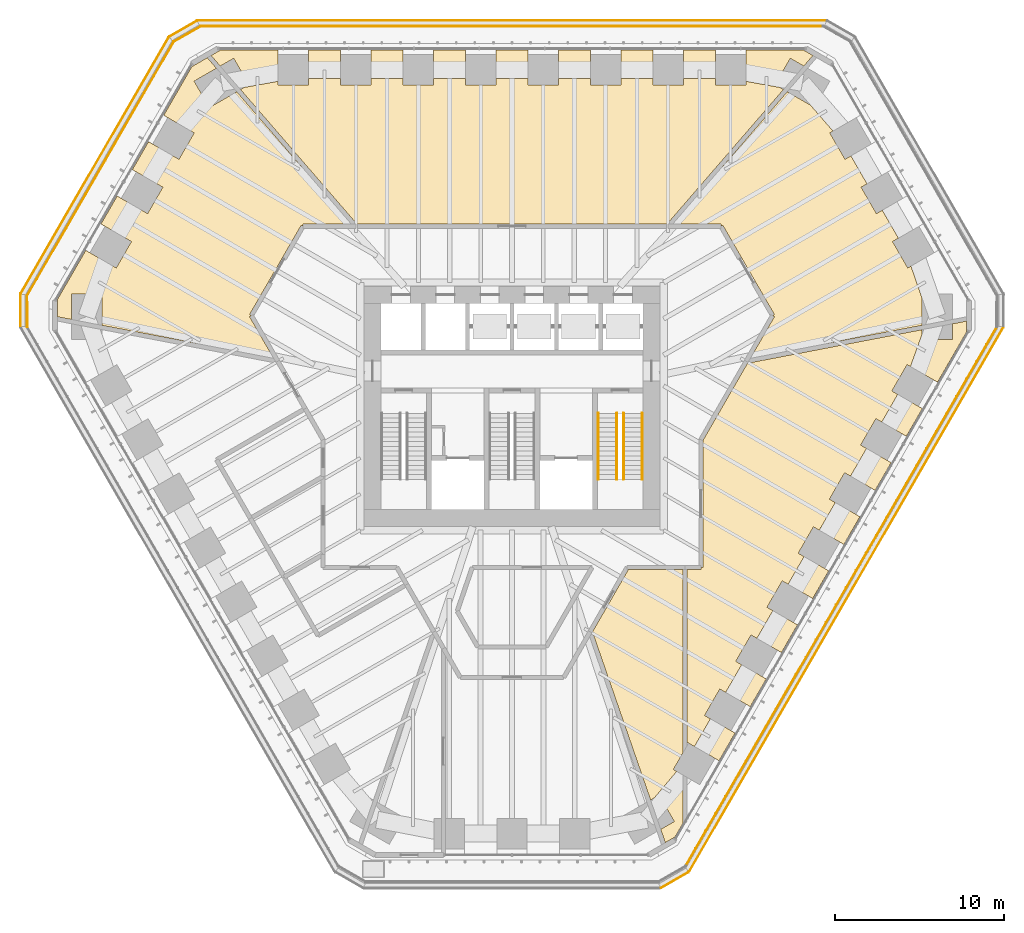
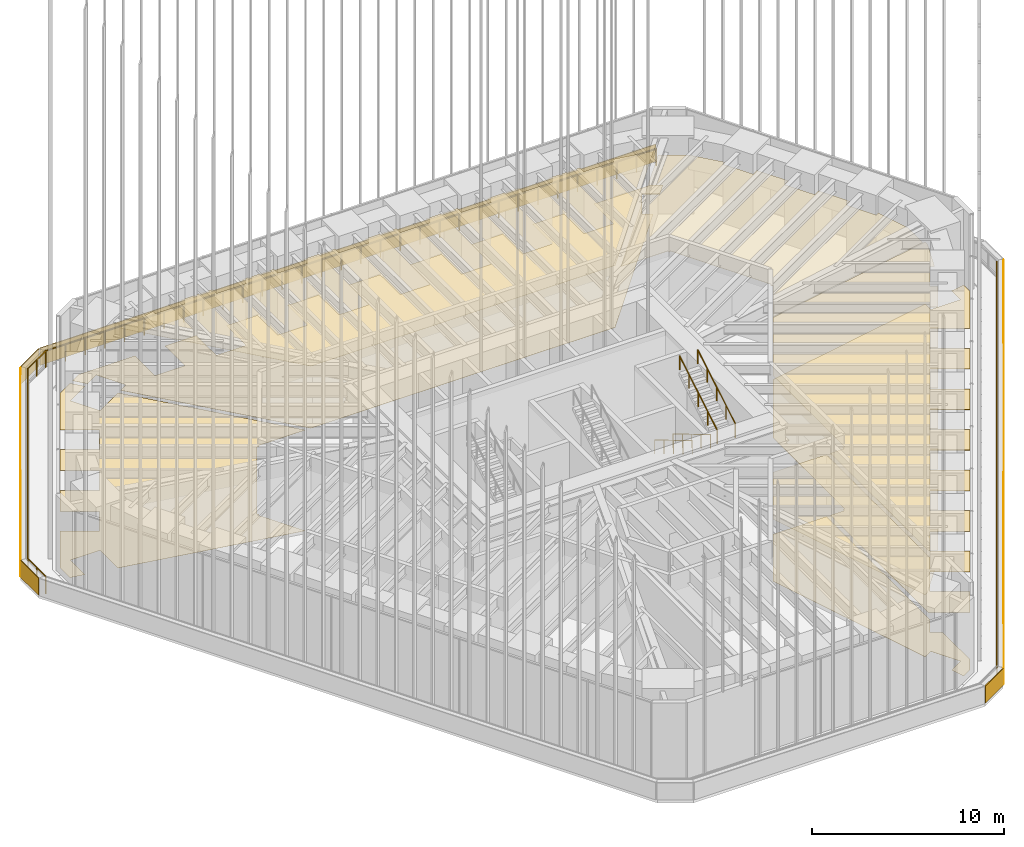
# One storey, part 225 of 228: 14 coverings, 9 railings.
"""IFC4 building model written with IfcOpenShell, lengths in metres."""

import ifcopenshell
import ifcopenshell.guid

model = None  # the IFC model being written
_history = None  # IfcOwnerHistory: only IFC2X3 demands one
_inside = {}  # id of a spatial element -> (the spatial element, [elements in it])
_under = {}  # id of a project, library or spatial element -> (it, [spatial elements below it])
_declared = {}  # id of a project -> (the project, [libraries it declares])
_typed = {}  # id of a type object -> (the type object, [elements of that type])
_made_of = {}  # id of a material, layer set ... -> (it, [elements and type objects made of it])


def new_model(schema):
    """Start an empty IFC model of exactly this schema.

    Asked for "IFC4X3", IfcOpenShell would pick the latest addendum, in which some entities
    have other attributes; the version numbers below select the first issue.
    IFC2X3 requires an IfcOwnerHistory on every rooted entity: one is made here for all.
    """
    global model, _history
    if schema == "IFC4X3":
        model = ifcopenshell.file(schema_version=(4, 3, 0, 0))
    else:
        model = ifcopenshell.file(schema=schema)
    _inside.clear()
    _under.clear()
    _declared.clear()
    _typed.clear()
    _made_of.clear()
    _history = None
    if model.schema == "IFC2X3":
        org = make("IfcOrganization", Name="unknown")
        user = make(
            "IfcPersonAndOrganization",
            ThePerson=make("IfcPerson", FamilyName="unknown"),
            TheOrganization=org,
        )
        app = make(
            "IfcApplication",
            ApplicationDeveloper=org,
            Version="unknown",
            ApplicationFullName="unknown",
            ApplicationIdentifier="unknown",
        )
        _history = make(
            "IfcOwnerHistory",
            OwningUser=user,
            OwningApplication=app,
            ChangeAction="ADDED",
            CreationDate=0,
        )
    return model


def make(cls, **values):
    """One entity of the class cls with the attributes given. An attribute that is None is left unset."""
    return model.create_entity(
        cls, **{name: value for name, value in values.items() if value is not None}
    )


def rooted(cls, **values):
    """An entity with a GlobalId (a new one), such as an element, a storey or a relation."""
    return make(cls, GlobalId=ifcopenshell.guid.new(), OwnerHistory=_history, **values)


def si_unit(unit_type, name, prefix=None):
    """IfcSIUnit, for example si_unit("LENGTHUNIT", "METRE", prefix="MILLI")."""
    return make("IfcSIUnit", UnitType=unit_type, Prefix=prefix, Name=name)


def assignment(units):
    """IfcUnitAssignment: the units of a project."""
    return None if units is None else make("IfcUnitAssignment", Units=units)


def point(xyz):
    """IfcCartesianPoint."""
    return None if xyz is None else make("IfcCartesianPoint", Coordinates=xyz)


def direction(xyz):
    """IfcDirection."""
    return None if xyz is None else make("IfcDirection", DirectionRatios=xyz)


def frame(location, z_axis=None, x_axis=None):
    """IfcAxis2Placement3D, a coordinate frame: its origin and axes. An axis left out is left unset."""
    return make(
        "IfcAxis2Placement3D",
        Location=point(location),
        Axis=direction(z_axis),
        RefDirection=direction(x_axis),
    )


def frame_2d(location, x_axis=None):
    """IfcAxis2Placement2D, a coordinate frame in the plane: its origin and x axis."""
    return make(
        "IfcAxis2Placement2D", Location=point(location), RefDirection=direction(x_axis)
    )


def origin():
    """The frame at (0, 0, 0) with its axes left unset."""
    return frame((0.0, 0.0, 0.0))


def origin_2d():
    """The frame at (0, 0) in the plane with its x axis left unset."""
    return frame_2d((0.0, 0.0))


def place(relative_to, where):
    """IfcLocalPlacement: puts the frame where relative to a parent placement (None: the world)."""
    return make(
        "IfcLocalPlacement", PlacementRelTo=relative_to, RelativePlacement=where
    )


def context(
    kind, dimensions, precision=None, world=None, true_north=None, identifier=None
):
    """IfcGeometricRepresentationContext, for example the 3D "Model" context."""
    return make(
        "IfcGeometricRepresentationContext",
        ContextIdentifier=identifier,
        ContextType=kind,
        CoordinateSpaceDimension=dimensions,
        Precision=precision,
        WorldCoordinateSystem=world,
        TrueNorth=true_north,
    )


def subcontext(parent, identifier, kind, view, scale=None):
    """IfcGeometricRepresentationSubContext, for example "Body" below "Model"."""
    return make(
        "IfcGeometricRepresentationSubContext",
        ContextIdentifier=identifier,
        ContextType=kind,
        ParentContext=parent,
        TargetScale=scale,
        TargetView=view,
    )


def project(units=None, contexts=None):
    """IfcProject with its units and contexts."""
    return rooted(
        "IfcProject",
        Name="project",
        RepresentationContexts=contexts,
        UnitsInContext=assignment(units),
    )


def spatial(cls, under=None, at=None, **own):
    """A site, building, storey or space (cls), placed at a placement, below another one or the project."""
    s = rooted(cls, ObjectPlacement=at, **own)
    if under is not None:
        _under.setdefault(under.id(), (under, []))[1].append(s)
    return s


def polyline(points):
    """IfcPolyline through the points."""
    return make("IfcPolyline", Points=[point(p) for p in points])


def profile(cls, at=None, kind="AREA", **sizes):
    """A parametric profile (cls). Its sizes go by their IFC names, for example OverallWidth=200.0."""
    return make(cls, ProfileType=kind, Position=at, **sizes)


def rectangle(**sizes):
    """IfcRectangleProfileDef."""
    return profile("IfcRectangleProfileDef", **sizes)


def circle(**sizes):
    """IfcCircleProfileDef."""
    return profile("IfcCircleProfileDef", **sizes)


def outline(outer, holes=None, kind="AREA"):
    """IfcArbitraryClosedProfileDef: a profile drawn as a closed curve; with holes, ...WithVoids."""
    if holes is None:
        return make("IfcArbitraryClosedProfileDef", ProfileType=kind, OuterCurve=outer)
    return make(
        "IfcArbitraryProfileDefWithVoids",
        ProfileType=kind,
        OuterCurve=outer,
        InnerCurves=holes,
    )


def extrude(swept, where, along, depth):
    """IfcExtrudedAreaSolid: the profile swept, set in the frame where, extruded along a direction by depth."""
    return make(
        "IfcExtrudedAreaSolid",
        SweptArea=swept,
        Position=where,
        ExtrudedDirection=direction(along),
        Depth=depth,
    )


def shape(context_of_items, identifier, shape_type, items):
    """IfcShapeRepresentation: the items that make up one representation, for example the "Body"."""
    return make(
        "IfcShapeRepresentation",
        ContextOfItems=context_of_items,
        RepresentationIdentifier=identifier,
        RepresentationType=shape_type,
        Items=items,
    )


def material(Name=None, Category=None):
    """IfcMaterial."""
    return make("IfcMaterial", Name=Name, Category=Category)


def layer(
    of_material, thickness, ventilated=None, Name=None, Category=None, Priority=None
):
    """IfcMaterialLayer: one layer of a wall or slab, of a material (None: an air gap)."""
    return make(
        "IfcMaterialLayer",
        Material=of_material,
        LayerThickness=thickness,
        IsVentilated=ventilated,
        Name=Name,
        Category=Category,
        Priority=Priority,
    )


def layer_set(layers, Name=None):
    """IfcMaterialLayerSet."""
    return make("IfcMaterialLayerSet", MaterialLayers=layers, LayerSetName=Name)


def made_of(thing, what):
    """Note that an element or type object is made of a material, layer set ...; save() writes the relation."""
    if what is not None:
        _made_of.setdefault(what.id(), (what, []))[1].append(thing)
    return thing


def type_object(cls, material=None, **own):
    """A type object (cls), such as IfcWallType, which elements share."""
    return made_of(rooted(cls, **own), material)


def element(
    cls,
    number,
    at=None,
    inside=None,
    cuts=None,
    type_object=None,
    material=None,
    context=None,
    identifier="Body",
    shape_type=None,
    held_by="IfcProductDefinitionShape",
    body=None,
    shapes=None,
    **own,
):
    """One element of the class cls, such as IfcWall. Its Tag is "e" and its number.

    at: its placement. inside: the storey or other place that contains it. cuts: it is an
    opening in that element (IfcRelVoidsElement). A single representation is given by context,
    identifier, shape_type and body (its items); several are given by shapes. held_by: the class
    of the entity that holds the representations. save() writes the other relations.
    """
    e = rooted(cls, Tag="e%d" % number, ObjectPlacement=at, **own)
    if body is not None:
        shapes = [shape(context, identifier, shape_type, body)]
    if shapes is not None:
        e.Representation = make(held_by, Representations=shapes)
    if inside is not None:
        _inside.setdefault(inside.id(), (inside, []))[1].append(e)
    if cuts is not None:
        rooted(
            "IfcRelVoidsElement", RelatingBuildingElement=cuts, RelatedOpeningElement=e
        )
    if type_object is not None:
        _typed.setdefault(type_object.id(), (type_object, []))[1].append(e)
    return made_of(e, material)


def aggregate(whole, parts):
    """IfcRelAggregates: a whole, such as a stair, and the parts it consists of."""
    return rooted("IfcRelAggregates", RelatingObject=whole, RelatedObjects=parts)


def save(model, path):
    """Write the relations noted so far, then the file.

    IfcRelAggregates (storeys below a building ...), IfcRelContainedInSpatialStructure (elements
    in a storey), IfcRelDefinesByType, IfcRelAssociatesMaterial and IfcRelDeclares: one each for
    every whole, place, type object, material and project.
    """
    for whole, parts in _under.values():
        aggregate(whole, parts)
    for where, things in _inside.values():
        rooted(
            "IfcRelContainedInSpatialStructure",
            RelatedElements=things,
            RelatingStructure=where,
        )
    for kind, things in _typed.values():
        rooted("IfcRelDefinesByType", RelatedObjects=things, RelatingType=kind)
    for what, things in _made_of.values():
        rooted("IfcRelAssociatesMaterial", RelatedObjects=things, RelatingMaterial=what)
    for by, libraries in _declared.values():
        rooted("IfcRelDeclares", RelatingContext=by, RelatedDefinitions=libraries)
    model.write(path)


model = new_model("IFC4")

# Units and contexts
model_context = context("Model", 3, precision=1e-05, world=origin(), true_north=direction((0.0, 1.0)))
body_context = subcontext(model_context, "Body", "Model", "MODEL_VIEW")
ifc_project = project(units=[si_unit("LENGTHUNIT", "METRE"), si_unit("AREAUNIT", "SQUARE_METRE"), si_unit("VOLUMEUNIT", "CUBIC_METRE"), si_unit("PLANEANGLEUNIT", "RADIAN"), si_unit("MASSUNIT", "GRAM", prefix="KILO")], contexts=[model_context])

# Site, building, storey
site_placement = place(None, origin())
site = spatial("IfcSite", under=ifc_project, at=site_placement, CompositionType="ELEMENT")
building_placement = place(site_placement, origin())
building = spatial("IfcBuilding", under=site, at=building_placement, Name="Sandreach Pilgrim Tower", CompositionType="ELEMENT")
storey_placement = place(building_placement, frame((0.0, 0.0, 178.199951171875)))
storey = spatial("IfcBuildingStorey", under=building, at=storey_placement, Name="L44", CompositionType="ELEMENT", Elevation=178.199951171875)

# Coverings
ifc_material_1 = material(Name="Acoustic mineral fibre tile ceiling on a suspension grid", Category="mineral")
ifc_layer_1 = layer(ifc_material_1, 0.02001953125)
ifc_layer_set_1 = layer_set([ifc_layer_1], Name="Acoustic mineral tile ceiling")
covering_type_1 = type_object("IfcCoveringType", Name="Acoustic mineral tile ceiling", PredefinedType="CEILING", material=ifc_layer_set_1)
covering_1_placement = place(storey_placement, frame((0.0, 0.0, 3.75)))
element("IfcCovering", 1, at=covering_1_placement, inside=storey, type_object=covering_type_1, Name="Ceiling 4402 Sky lounge", PredefinedType="CEILING", context=body_context, shape_type="SweptSolid", body=[
    extrude(outline(polyline([(12.35009765625, 10.784912109375), (9.50341796875, 10.784912109375), (16.27685546875, 18.611572265625), (17.65673828125, 17.81494140625), (18.983642578125, 16.283935546875), (18.795654296875, 16.17529296875), (19.695556640625, 14.616455078125), (20.0419921875, 14.81640625), (20.997314453125, 13.162109375), (20.65087890625, 12.9619140625), (21.55078125, 11.403076171875), (21.897216796875, 11.60302734375), (22.8525390625, 9.94873046875), (22.506103515625, 9.748779296875), (23.406005859375, 8.18994140625), (23.59423828125, 8.29833984375), (24.256591796875, 6.383544921875), (24.256591796875, 4.796630859375), (14.09521484375, 2.844482421875), (15.518310546875, 5.307373046875), (15.409912109375, 5.3701171875), (15.518310546875, 5.4326171875), (12.458251953125, 10.72265625), (12.35009765625, 10.659912109375), (12.35009765625, 10.784912109375)])), origin(), (0.0, 0.0, 1.0), 0.02001953125),
])
ifc_material_2 = material(Name="Nylon carpet tile on the slab", Category="textile")
ifc_layer_2 = layer(ifc_material_2, 0.008056640625)
ifc_layer_set_2 = layer_set([ifc_layer_2], Name="Carpet tile")
covering_type_2 = type_object("IfcCoveringType", Name="Carpet tile", PredefinedType="FLOORING", material=ifc_layer_set_2)
covering_2_placement = place(storey_placement, origin())
element("IfcCovering", 2, at=covering_2_placement, inside=storey, type_object=covering_type_2, Name="Floor finish 4401 Front office", PredefinedType="FLOORING", context=body_context, shape_type="SweptSolid", body=[
    extrude(outline(polyline([(-13.82373046875, 21.080078125), (-13.82373046875, 19.0), (-12.023681640625, 19.0), (-12.023681640625, 21.080078125), (-10.131103515625, 21.080078125), (-10.131103515625, 19.0), (-8.331298828125, 19.0), (-8.331298828125, 21.080078125), (-6.438720703125, 21.080078125), (-6.438720703125, 19.0), (-4.638671875, 19.0), (-4.638671875, 21.080078125), (-2.746337890625, 21.080078125), (-2.746337890625, 19.0), (-0.9462890625, 19.0), (-0.9462890625, 21.080078125), (0.9462890625, 21.080078125), (0.9462890625, 19.0), (2.746337890625, 19.0), (2.746337890625, 21.080078125), (4.638671875, 21.080078125), (4.638671875, 19.0), (6.438720703125, 19.0), (6.438720703125, 21.080078125), (8.331298828125, 21.080078125), (8.331298828125, 19.0), (10.131103515625, 19.0), (10.131103515625, 21.080078125), (12.023681640625, 21.080078125), (12.023681640625, 19.0), (13.82373046875, 19.0), (13.82373046875, 21.080078125), (17.228515625, 21.080078125), (17.7978515625, 20.751220703125), (17.255859375, 20.124755859375), (16.458984375, 20.5849609375), (15.558837890625, 19.026123046875), (16.056396484375, 18.739013671875), (9.1728515625, 10.784912109375), (-9.1728515625, 10.784912109375), (-16.056396484375, 18.739013671875), (-15.558837890625, 19.026123046875), (-16.458984375, 20.5849609375), (-17.255859375, 20.124755859375), (-17.7978515625, 20.751220703125), (-17.228515625, 21.080078125), (-13.82373046875, 21.080078125)])), origin(), (0.0, 0.0, 1.0), 0.008056640625),
])
covering_3_placement = place(storey_placement, origin())
element("IfcCovering", 3, at=covering_3_placement, inside=storey, type_object=covering_type_2, Name="Floor finish 4403 Guest services office", PredefinedType="FLOORING", context=body_context, shape_type="SweptSolid", body=[
    extrude(outline(polyline([(10.35498046875, -9.64501953125), (11.169921875, -9.64501953125), (11.169921875, -9.52001953125), (11.294921875, -9.52001953125), (11.294921875, -2.00341796875), (13.9296875, 2.55810546875), (24.256591796875, 4.542236328125), (24.256591796875, 3.96142578125), (26.056640625, 3.96142578125), (26.056640625, 4.887939453125), (26.8701171875, 5.04443359375), (26.8701171875, 4.380126953125), (25.167724609375, 1.431640625), (23.366455078125, 2.4716796875), (22.466552734375, 0.912841796875), (24.267822265625, -0.127197265625), (23.321533203125, -1.76611328125), (21.520263671875, -0.72607421875), (20.6201171875, -2.284912109375), (22.421630859375, -3.324951171875), (21.475341796875, -4.9638671875), (19.673828125, -3.923828125), (18.77392578125, -5.48291015625), (20.5751953125, -6.522705078125), (19.629150390625, -8.16162109375), (17.82763671875, -7.121826171875), (16.927734375, -8.6806640625), (18.72900390625, -9.720703125), (17.78271484375, -11.359619140625), (15.9814453125, -10.319580078125), (15.08154296875, -11.87841796875), (16.8828125, -12.91845703125), (15.9365234375, -14.557373046875), (14.13525390625, -13.517333984375), (13.235107421875, -15.076171875), (15.03662109375, -16.1162109375), (14.09033203125, -17.755126953125), (12.2890625, -16.715087890625), (11.388916015625, -18.27392578125), (13.190185546875, -19.31396484375), (12.244140625, -20.952880859375), (10.35498046875, -19.8623046875), (10.35498046875, -9.64501953125)])), origin(), (0.0, 0.0, 1.0), 0.008056640625),
])
covering_4_placement = place(storey_placement, origin())
element("IfcCovering", 4, at=covering_4_placement, inside=storey, type_object=covering_type_2, Name="Floor finish 44N1 Staff room", PredefinedType="FLOORING", context=body_context, shape_type="SweptSolid", body=[
    extrude(outline(polyline([(9.6416015625, -25.46044921875), (9.066650390625, -25.79248046875), (8.79541015625, -25.009521484375), (9.59765625, -24.54638671875), (8.697509765625, -22.987548828125), (8.19580078125, -23.277099609375), (4.755126953125, -13.337890625), (6.88232421875, -9.64501953125), (10.10498046875, -9.64501953125), (10.10498046875, -20.497802734375), (9.542724609375, -21.4716796875), (10.10498046875, -21.79638671875), (10.10498046875, -24.657958984375), (9.6416015625, -25.46044921875)])), origin(), (0.0, 0.0, 1.0), 0.008056640625),
])
ifc_material_3 = material(Name="Epoxy resin floor on the slab", Category="plastic")
ifc_layer_3 = layer(ifc_material_3, 0.00390625)
ifc_layer_set_3 = layer_set([ifc_layer_3], Name="Epoxy resin floor")
covering_type_3 = type_object("IfcCoveringType", Name="Epoxy resin floor", PredefinedType="FLOORING", material=ifc_layer_set_3)
covering_5_placement = place(storey_placement, origin())
element("IfcCovering", 5, at=covering_5_placement, inside=storey, type_object=covering_type_3, Name="Floor finish 4406 Luggage store", PredefinedType="FLOORING", context=body_context, shape_type="SweptSolid", body=[
    extrude(outline(polyline([(-25.207275390625, 9.229736328125), (-23.406005859375, 8.18994140625), (-22.506103515625, 9.748779296875), (-24.307373046875, 10.78857421875), (-23.35205078125, 12.443115234375), (-21.55078125, 11.403076171875), (-20.65087890625, 12.9619140625), (-22.4521484375, 14.001953125), (-21.4970703125, 15.656494140625), (-19.695556640625, 14.616455078125), (-18.795654296875, 16.17529296875), (-20.596923828125, 17.21533203125), (-18.93408203125, 20.09521484375), (-18.018310546875, 20.6240234375), (-17.476318359375, 19.99755859375), (-18.797119140625, 19.23486328125), (-17.897216796875, 17.676025390625), (-16.27685546875, 18.611572265625), (-9.50341796875, 10.784912109375), (-12.35009765625, 10.784912109375), (-12.35009765625, 10.659912109375), (-12.458251953125, 10.72265625), (-15.518310546875, 5.4326171875), (-15.41015625, 5.3701171875), (-15.518310546875, 5.307373046875), (-14.09521484375, 2.844482421875), (-24.256591796875, 4.796630859375), (-24.256591796875, 6.661376953125), (-26.056640625, 6.661376953125), (-26.056640625, 5.142578125), (-26.8701171875, 5.298828125), (-26.8701171875, 6.349853515625), (-25.207275390625, 9.229736328125)])), origin(), (0.0, 0.0, 1.0), 0.004150390625),
])
ifc_material_4 = material(Name="Gypsum board suspended ceiling on a steel grid", Category="steel")
ifc_layer_4 = layer(ifc_material_4, 0.012939453125)
ifc_layer_set_4 = layer_set([ifc_layer_4], Name="Gypsum board suspended ceiling")
covering_type_4 = type_object("IfcCoveringType", Name="Gypsum board suspended ceiling", PredefinedType="CEILING", material=ifc_layer_set_4)
covering_6_placement = place(storey_placement, frame((0.0, 0.0, 3.949951171875)))
element("IfcCovering", 6, at=covering_6_placement, inside=storey, type_object=covering_type_4, Name="Ceiling 4401 Front office", PredefinedType="CEILING", context=body_context, shape_type="SweptSolid", body=[
    extrude(outline(polyline([(-2.746337890625, 19.400146484375), (-2.746337890625, 19.0), (-0.9462890625, 19.0), (-0.9462890625, 19.400146484375), (0.9462890625, 19.400146484375), (0.9462890625, 19.0), (2.746337890625, 19.0), (2.746337890625, 19.400146484375), (4.638671875, 19.400146484375), (4.638671875, 19.0), (6.438720703125, 19.0), (6.438720703125, 19.400146484375), (8.331298828125, 19.400146484375), (8.331298828125, 19.0), (10.131103515625, 19.0), (10.131103515625, 19.400146484375), (12.023681640625, 19.400146484375), (12.023681640625, 19.0), (13.82373046875, 19.0), (13.82373046875, 19.229248046875), (15.83837890625, 18.86474609375), (16.056396484375, 18.739013671875), (9.1728515625, 10.784912109375), (-9.1728515625, 10.784912109375), (-16.056396484375, 18.739013671875), (-15.83837890625, 18.86474609375), (-13.82373046875, 19.229248046875), (-13.82373046875, 19.0), (-12.023681640625, 19.0), (-12.023681640625, 19.400146484375), (-10.131103515625, 19.400146484375), (-10.131103515625, 19.0), (-8.331298828125, 19.0), (-8.331298828125, 19.400146484375), (-6.438720703125, 19.400146484375), (-6.438720703125, 19.0), (-4.638671875, 19.0), (-4.638671875, 19.400146484375), (-2.746337890625, 19.400146484375)])), origin(), (0.0, 0.0, 1.0), 0.01318359375),
])
covering_7_placement = place(storey_placement, frame((0.0, 0.0, 3.949951171875)))
element("IfcCovering", 7, at=covering_7_placement, inside=storey, type_object=covering_type_4, Name="Ceiling 4403 Guest services office", PredefinedType="CEILING", context=body_context, shape_type="SweptSolid", body=[
    extrude(outline(polyline([(10.35498046875, -9.64501953125), (11.169921875, -9.64501953125), (11.169921875, -9.52001953125), (11.294921875, -9.52001953125), (11.294921875, -2.00341796875), (13.9296875, 2.55810546875), (24.256591796875, 4.542236328125), (24.256591796875, 4.2841796875), (23.56494140625, 2.357177734375), (23.366455078125, 2.4716796875), (22.466552734375, 0.912841796875), (22.812744140625, 0.712890625), (21.86669921875, -0.92626953125), (21.520263671875, -0.72607421875), (20.6201171875, -2.284912109375), (20.966552734375, -2.485107421875), (20.020263671875, -4.1240234375), (19.673828125, -3.923828125), (18.77392578125, -5.48291015625), (19.120361328125, -5.682861328125), (18.174072265625, -7.32177734375), (17.82763671875, -7.121826171875), (16.927734375, -8.6806640625), (17.274169921875, -8.880615234375), (16.327880859375, -10.51953125), (15.9814453125, -10.319580078125), (15.08154296875, -11.87841796875), (15.427978515625, -12.078369140625), (14.481689453125, -13.71728515625), (14.13525390625, -13.517333984375), (13.235107421875, -15.076171875), (13.58154296875, -15.276123046875), (12.63525390625, -16.9150390625), (12.2890625, -16.715087890625), (11.388916015625, -18.27392578125), (11.7353515625, -18.473876953125), (10.7890625, -20.11279296875), (10.35498046875, -19.8623046875), (10.35498046875, -9.64501953125)])), origin(), (0.0, 0.0, 1.0), 0.01318359375),
])
covering_8_placement = place(storey_placement, frame((0.0, 0.0, 3.949951171875)))
element("IfcCovering", 8, at=covering_8_placement, inside=storey, type_object=covering_type_4, Name="Ceiling 44N1 Staff room", PredefinedType="CEILING", context=body_context, shape_type="SweptSolid", body=[
    extrude(outline(polyline([(8.19580078125, -23.277099609375), (4.755126953125, -13.337890625), (6.88232421875, -9.64501953125), (10.10498046875, -9.64501953125), (10.10498046875, -20.497802734375), (9.542724609375, -21.4716796875), (9.7412109375, -21.586181640625), (8.418212890625, -23.14892578125), (8.19580078125, -23.277099609375)])), origin(), (0.0, 0.0, 1.0), 0.01318359375),
])

# Railings
ifc_material_5 = material(Name="Galvanised steel guardrail", Category="steel")
railing_type_1 = type_object("IfcRailingType", Name="Setback roof guard", PredefinedType="GUARDRAIL", material=ifc_material_5)
railing_1_placement = place(storey_placement, frame((-18.401123046875, 22.484130859375, 0.0)))
element("IfcRailing", 9, at=railing_1_placement, inside=storey, type_object=railing_type_1, Name="Setback maintenance roof guard L44 1", PredefinedType="GUARDRAIL", context=body_context, shape_type="SweptSolid", body=[
    extrude(circle(Radius=0.02392578125, at=origin_2d()), frame((0.0, 0.0, 1.076171875), z_axis=(-0.867326730007, -0.497739232345, 0.0), x_axis=(0.497739232345, -0.867326730007, 0.0)), (0.0, 0.0, 1.0), 1.85546875),
    extrude(circle(Radius=0.02099609375, at=origin_2d()), origin(), (0.0, 0.0, 1.0), 1.052001953125),
    extrude(circle(Radius=0.02099609375, at=origin_2d()), frame((-0.8046875, -0.4619140625, 0.0)), (0.0, 0.0, 1.0), 1.052001953125),
    extrude(circle(Radius=0.02099609375, at=origin_2d()), frame((-1.609375, -0.923583984375, 0.0)), (0.0, 0.0, 1.0), 1.052001953125),
])
railing_2_placement = place(storey_placement, frame((-20.010498046875, 21.560546875, 0.0)))
element("IfcRailing", 10, at=railing_2_placement, inside=storey, type_object=railing_type_1, Name="Setback maintenance roof guard L44 2", PredefinedType="GUARDRAIL", context=body_context, shape_type="SweptSolid", body=[
    extrude(circle(Radius=0.02392578125, at=origin_2d()), frame((0.0, 0.0, 1.076171875), z_axis=(-0.500000436794, -0.866025151601, 0.0), x_axis=(0.866025151601, -0.500000436794, 0.0)), (0.0, 0.0, 1.0), 17.33349609375),
    extrude(circle(Radius=0.02099609375, at=origin_2d()), origin(), (0.0, 0.0, 1.0), 1.052001953125),
    extrude(circle(Radius=0.02099609375, at=origin_2d()), frame((-0.577880859375, -1.000732421875, 0.0)), (0.0, 0.0, 1.0), 1.052001953125),
    extrude(circle(Radius=0.02099609375, at=origin_2d()), frame((-1.155517578125, -2.00146484375, 0.0)), (0.0, 0.0, 1.0), 1.052001953125),
    extrude(circle(Radius=0.02099609375, at=origin_2d()), frame((-1.7333984375, -3.002197265625, 0.0)), (0.0, 0.0, 1.0), 1.052001953125),
    extrude(circle(Radius=0.02099609375, at=origin_2d()), frame((-2.31103515625, -4.0029296875, 0.0)), (0.0, 0.0, 1.0), 1.052001953125),
    extrude(circle(Radius=0.02099609375, at=origin_2d()), frame((-2.888916015625, -5.003662109375, 0.0)), (0.0, 0.0, 1.0), 1.052001953125),
    extrude(circle(Radius=0.02099609375, at=origin_2d()), frame((-3.466796875, -6.00439453125, 0.0)), (0.0, 0.0, 1.0), 1.052001953125),
    extrude(circle(Radius=0.02099609375, at=origin_2d()), frame((-4.04443359375, -7.005126953125, 0.0)), (0.0, 0.0, 1.0), 1.052001953125),
    extrude(circle(Radius=0.02099609375, at=origin_2d()), frame((-4.622314453125, -8.006103515625, 0.0)), (0.0, 0.0, 1.0), 1.052001953125),
    extrude(circle(Radius=0.02099609375, at=origin_2d()), frame((-5.199951171875, -9.0068359375, 0.0)), (0.0, 0.0, 1.0), 1.052001953125),
    extrude(circle(Radius=0.02099609375, at=origin_2d()), frame((-5.77783203125, -10.007568359375, 0.0)), (0.0, 0.0, 1.0), 1.052001953125),
    extrude(circle(Radius=0.02099609375, at=origin_2d()), frame((-6.355712890625, -11.00830078125, 0.0)), (0.0, 0.0, 1.0), 1.052001953125),
    extrude(circle(Radius=0.02099609375, at=origin_2d()), frame((-6.933349609375, -12.009033203125, 0.0)), (0.0, 0.0, 1.0), 1.052001953125),
    extrude(circle(Radius=0.02099609375, at=origin_2d()), frame((-7.51123046875, -13.009765625, 0.0)), (0.0, 0.0, 1.0), 1.052001953125),
    extrude(circle(Radius=0.02099609375, at=origin_2d()), frame((-8.0888671875, -14.010498046875, 0.0)), (0.0, 0.0, 1.0), 1.052001953125),
    extrude(circle(Radius=0.02099609375, at=origin_2d()), frame((-8.666748046875, -15.01123046875, 0.0)), (0.0, 0.0, 1.0), 1.052001953125),
])
railing_3_placement = place(storey_placement, frame((-28.67724609375, 6.54931640625, 0.0)))
element("IfcRailing", 11, at=railing_3_placement, inside=storey, type_object=railing_type_1, Name="Setback maintenance roof guard L44 3", PredefinedType="GUARDRAIL", context=body_context, shape_type="SweptSolid", body=[
    extrude(circle(Radius=0.02392578125, at=origin_2d()), frame((0.0, 0.0, 1.076171875), z_axis=(0.002499992188, -0.999996875015, 0.0), x_axis=(0.999996875015, 0.002499992188, 0.0)), (0.0, 0.0, 1.0), 1.85546875),
    extrude(circle(Radius=0.02099609375, at=origin_2d()), origin(), (0.0, 0.0, 1.0), 1.052001953125),
    extrude(circle(Radius=0.02099609375, at=origin_2d()), frame((0.00244140625, -0.927734375, 0.0)), (0.0, 0.0, 1.0), 1.052001953125),
    extrude(circle(Radius=0.02099609375, at=origin_2d()), frame((0.004638671875, -1.85546875, 0.0)), (0.0, 0.0, 1.0), 1.052001953125),
])
railing_4_placement = place(storey_placement, frame((10.271240234375, -27.177978515625, 0.0)))
element("IfcRailing", 12, at=railing_4_placement, inside=storey, type_object=railing_type_1, Name="Setback maintenance roof guard L44 8", PredefinedType="GUARDRAIL", context=body_context, shape_type="SweptSolid", body=[
    extrude(circle(Radius=0.02392578125, at=origin_2d()), frame((0.0, 0.0, 1.076171875), z_axis=(0.500003255909, 0.866023523976, 0.0), x_axis=(-0.866023523976, 0.500003255909, 0.0)), (0.0, 0.0, 1.0), 36.802490234375),
    extrude(circle(Radius=0.02099609375, at=origin_2d()), origin(), (0.0, 0.0, 1.0), 1.052001953125),
    extrude(circle(Radius=0.02099609375, at=origin_2d()), frame((0.593505859375, 1.028076171875, 0.0)), (0.0, 0.0, 1.0), 1.052001953125),
    extrude(circle(Radius=0.02099609375, at=origin_2d()), frame((1.187255859375, 2.05615234375, 0.0)), (0.0, 0.0, 1.0), 1.052001953125),
    extrude(circle(Radius=0.02099609375, at=origin_2d()), frame((1.78076171875, 3.08447265625, 0.0)), (0.0, 0.0, 1.0), 1.052001953125),
    extrude(circle(Radius=0.02099609375, at=origin_2d()), frame((2.374267578125, 4.112548828125, 0.0)), (0.0, 0.0, 1.0), 1.052001953125),
    extrude(circle(Radius=0.02099609375, at=origin_2d()), frame((2.968017578125, 5.140625, 0.0)), (0.0, 0.0, 1.0), 1.052001953125),
    extrude(circle(Radius=0.02099609375, at=origin_2d()), frame((3.5615234375, 6.168701171875, 0.0)), (0.0, 0.0, 1.0), 1.052001953125),
    extrude(circle(Radius=0.02099609375, at=origin_2d()), frame((4.155029296875, 7.19677734375, 0.0)), (0.0, 0.0, 1.0), 1.052001953125),
    extrude(circle(Radius=0.02099609375, at=origin_2d()), frame((4.748779296875, 8.22509765625, 0.0)), (0.0, 0.0, 1.0), 1.052001953125),
    extrude(circle(Radius=0.02099609375, at=origin_2d()), frame((5.34228515625, 9.253173828125, 0.0)), (0.0, 0.0, 1.0), 1.052001953125),
    extrude(circle(Radius=0.02099609375, at=origin_2d()), frame((5.93603515625, 10.28125, 0.0)), (0.0, 0.0, 1.0), 1.052001953125),
    extrude(circle(Radius=0.02099609375, at=origin_2d()), frame((6.529541015625, 11.309326171875, 0.0)), (0.0, 0.0, 1.0), 1.052001953125),
    extrude(circle(Radius=0.02099609375, at=origin_2d()), frame((7.123046875, 12.33740234375, 0.0)), (0.0, 0.0, 1.0), 1.052001953125),
    extrude(circle(Radius=0.02099609375, at=origin_2d()), frame((7.716796875, 13.36572265625, 0.0)), (0.0, 0.0, 1.0), 1.052001953125),
    extrude(circle(Radius=0.02099609375, at=origin_2d()), frame((8.310302734375, 14.393798828125, 0.0)), (0.0, 0.0, 1.0), 1.052001953125),
    extrude(circle(Radius=0.02099609375, at=origin_2d()), frame((8.90380859375, 15.421875, 0.0)), (0.0, 0.0, 1.0), 1.052001953125),
    extrude(circle(Radius=0.02099609375, at=origin_2d()), frame((9.49755859375, 16.449951171875, 0.0)), (0.0, 0.0, 1.0), 1.052001953125),
    extrude(circle(Radius=0.02099609375, at=origin_2d()), frame((10.091064453125, 17.47802734375, 0.0)), (0.0, 0.0, 1.0), 1.052001953125),
    extrude(circle(Radius=0.02099609375, at=origin_2d()), frame((10.6845703125, 18.506103515625, 0.0)), (0.0, 0.0, 1.0), 1.052001953125),
    extrude(circle(Radius=0.02099609375, at=origin_2d()), frame((11.2783203125, 19.534423828125, 0.0)), (0.0, 0.0, 1.0), 1.052001953125),
    extrude(circle(Radius=0.02099609375, at=origin_2d()), frame((11.871826171875, 20.5625, 0.0)), (0.0, 0.0, 1.0), 1.052001953125),
    extrude(circle(Radius=0.02099609375, at=origin_2d()), frame((12.46533203125, 21.590576171875, 0.0)), (0.0, 0.0, 1.0), 1.052001953125),
    extrude(circle(Radius=0.02099609375, at=origin_2d()), frame((13.05908203125, 22.61865234375, 0.0)), (0.0, 0.0, 1.0), 1.052001953125),
    extrude(circle(Radius=0.02099609375, at=origin_2d()), frame((13.652587890625, 23.646728515625, 0.0)), (0.0, 0.0, 1.0), 1.052001953125),
    extrude(circle(Radius=0.02099609375, at=origin_2d()), frame((14.246337890625, 24.675048828125, 0.0)), (0.0, 0.0, 1.0), 1.052001953125),
    extrude(circle(Radius=0.02099609375, at=origin_2d()), frame((14.83984375, 25.703125, 0.0)), (0.0, 0.0, 1.0), 1.052001953125),
    extrude(circle(Radius=0.02099609375, at=origin_2d()), frame((15.433349609375, 26.731201171875, 0.0)), (0.0, 0.0, 1.0), 1.052001953125),
    extrude(circle(Radius=0.02099609375, at=origin_2d()), frame((16.027099609375, 27.75927734375, 0.0)), (0.0, 0.0, 1.0), 1.052001953125),
    extrude(circle(Radius=0.02099609375, at=origin_2d()), frame((16.62060546875, 28.787353515625, 0.0)), (0.0, 0.0, 1.0), 1.052001953125),
    extrude(circle(Radius=0.02099609375, at=origin_2d()), frame((17.214111328125, 29.815673828125, 0.0)), (0.0, 0.0, 1.0), 1.052001953125),
    extrude(circle(Radius=0.02099609375, at=origin_2d()), frame((17.807861328125, 30.84375, 0.0)), (0.0, 0.0, 1.0), 1.052001953125),
    extrude(circle(Radius=0.02099609375, at=origin_2d()), frame((18.4013671875, 31.871826171875, 0.0)), (0.0, 0.0, 1.0), 1.052001953125),
])
railing_5_placement = place(storey_placement, frame((18.401123046875, 22.484130859375, 0.0)))
element("IfcRailing", 13, at=railing_5_placement, inside=storey, type_object=railing_type_1, Name="Setback maintenance roof guard L44 12", PredefinedType="GUARDRAIL", context=body_context, shape_type="SweptSolid", body=[
    extrude(circle(Radius=0.02392578125, at=origin_2d()), frame((0.0, 0.0, 1.076171875), z_axis=(-1.0, 0.0, 0.0), x_axis=(0.0, -1.0, 0.0)), (0.0, 0.0, 1.0), 36.80224609375),
    extrude(circle(Radius=0.02099609375, at=origin_2d()), origin(), (0.0, 0.0, 1.0), 1.052001953125),
    extrude(circle(Radius=0.02099609375, at=origin_2d()), frame((-1.187255859375, 0.0, 0.0)), (0.0, 0.0, 1.0), 1.052001953125),
    extrude(circle(Radius=0.02099609375, at=origin_2d()), frame((-2.374267578125, 0.0, 0.0)), (0.0, 0.0, 1.0), 1.052001953125),
    extrude(circle(Radius=0.02099609375, at=origin_2d()), frame((-3.5615234375, 0.0, 0.0)), (0.0, 0.0, 1.0), 1.052001953125),
    extrude(circle(Radius=0.02099609375, at=origin_2d()), frame((-4.748779296875, 0.0, 0.0)), (0.0, 0.0, 1.0), 1.052001953125),
    extrude(circle(Radius=0.02099609375, at=origin_2d()), frame((-5.935791015625, 0.0, 0.0)), (0.0, 0.0, 1.0), 1.052001953125),
    extrude(circle(Radius=0.02099609375, at=origin_2d()), frame((-7.123046875, 0.0, 0.0)), (0.0, 0.0, 1.0), 1.052001953125),
    extrude(circle(Radius=0.02099609375, at=origin_2d()), frame((-8.310302734375, 0.0, 0.0)), (0.0, 0.0, 1.0), 1.052001953125),
    extrude(circle(Radius=0.02099609375, at=origin_2d()), frame((-9.497314453125, 0.0, 0.0)), (0.0, 0.0, 1.0), 1.052001953125),
    extrude(circle(Radius=0.02099609375, at=origin_2d()), frame((-10.6845703125, 0.0, 0.0)), (0.0, 0.0, 1.0), 1.052001953125),
    extrude(circle(Radius=0.02099609375, at=origin_2d()), frame((-11.87158203125, 0.0, 0.0)), (0.0, 0.0, 1.0), 1.052001953125),
    extrude(circle(Radius=0.02099609375, at=origin_2d()), frame((-13.058837890625, 0.0, 0.0)), (0.0, 0.0, 1.0), 1.052001953125),
    extrude(circle(Radius=0.02099609375, at=origin_2d()), frame((-14.24609375, 0.0, 0.0)), (0.0, 0.0, 1.0), 1.052001953125),
    extrude(circle(Radius=0.02099609375, at=origin_2d()), frame((-15.43310546875, 0.0, 0.0)), (0.0, 0.0, 1.0), 1.052001953125),
    extrude(circle(Radius=0.02099609375, at=origin_2d()), frame((-16.620361328125, 0.0, 0.0)), (0.0, 0.0, 1.0), 1.052001953125),
    extrude(circle(Radius=0.02099609375, at=origin_2d()), frame((-17.8076171875, 0.0, 0.0)), (0.0, 0.0, 1.0), 1.052001953125),
    extrude(circle(Radius=0.02099609375, at=origin_2d()), frame((-18.99462890625, 0.0, 0.0)), (0.0, 0.0, 1.0), 1.052001953125),
    extrude(circle(Radius=0.02099609375, at=origin_2d()), frame((-20.181884765625, 0.0, 0.0)), (0.0, 0.0, 1.0), 1.052001953125),
    extrude(circle(Radius=0.02099609375, at=origin_2d()), frame((-21.369140625, 0.0, 0.0)), (0.0, 0.0, 1.0), 1.052001953125),
    extrude(circle(Radius=0.02099609375, at=origin_2d()), frame((-22.55615234375, 0.0, 0.0)), (0.0, 0.0, 1.0), 1.052001953125),
    extrude(circle(Radius=0.02099609375, at=origin_2d()), frame((-23.743408203125, 0.0, 0.0)), (0.0, 0.0, 1.0), 1.052001953125),
    extrude(circle(Radius=0.02099609375, at=origin_2d()), frame((-24.9306640625, 0.0, 0.0)), (0.0, 0.0, 1.0), 1.052001953125),
    extrude(circle(Radius=0.02099609375, at=origin_2d()), frame((-26.11767578125, 0.0, 0.0)), (0.0, 0.0, 1.0), 1.052001953125),
    extrude(circle(Radius=0.02099609375, at=origin_2d()), frame((-27.304931640625, 0.0, 0.0)), (0.0, 0.0, 1.0), 1.052001953125),
    extrude(circle(Radius=0.02099609375, at=origin_2d()), frame((-28.491943359375, 0.0, 0.0)), (0.0, 0.0, 1.0), 1.052001953125),
    extrude(circle(Radius=0.02099609375, at=origin_2d()), frame((-29.67919921875, 0.0, 0.0)), (0.0, 0.0, 1.0), 1.052001953125),
    extrude(circle(Radius=0.02099609375, at=origin_2d()), frame((-30.866455078125, 0.0, 0.0)), (0.0, 0.0, 1.0), 1.052001953125),
    extrude(circle(Radius=0.02099609375, at=origin_2d()), frame((-32.053466796875, 0.0, 0.0)), (0.0, 0.0, 1.0), 1.052001953125),
    extrude(circle(Radius=0.02099609375, at=origin_2d()), frame((-33.24072265625, 0.0, 0.0)), (0.0, 0.0, 1.0), 1.052001953125),
    extrude(circle(Radius=0.02099609375, at=origin_2d()), frame((-34.427978515625, 0.0, 0.0)), (0.0, 0.0, 1.0), 1.052001953125),
    extrude(circle(Radius=0.02099609375, at=origin_2d()), frame((-35.614990234375, 0.0, 0.0)), (0.0, 0.0, 1.0), 1.052001953125),
    extrude(circle(Radius=0.02099609375, at=origin_2d()), frame((-36.80224609375, 0.0, 0.0)), (0.0, 0.0, 1.0), 1.052001953125),
])
ifc_material_6 = material(Name="Stainless steel tube", Category="steel")
railing_type_2 = type_object("IfcRailingType", Name="Stair handrail", PredefinedType="HANDRAIL", material=ifc_material_6)
for number, where, name in (
    (14, (6.199951171875, -0.39990234375, 0.166748046875), "Handrail ST2 L44 flight 1"),
    (15, (5.10009765625, -0.39990234375, 0.166748046875), "Handrail ST2 L44 flight 1"),
):
    element("IfcRailing", number, at=place(storey_placement, frame(where)), inside=storey, type_object=railing_type_2, Name=name, PredefinedType="HANDRAIL", context=body_context, shape_type="SweptSolid", body=[
        extrude(circle(Radius=0.02392578125, at=origin_2d()), frame((0.0, 0.0, 0.8759765625), z_axis=(0.0, -0.859310244771, 0.511454693235), x_axis=(1.0, 0.0, 0.0)), (0.0, 0.0, 1.0), 4.56201171875),
        extrude(circle(Radius=0.02099609375, at=origin_2d()), origin(), (0.0, 0.0, 1.0), 0.851806640625),
        extrude(circle(Radius=0.02099609375, at=origin_2d()), frame((0.0, -0.97998046875, 0.583251953125)), (0.0, 0.0, 1.0), 0.851806640625),
        extrude(circle(Radius=0.02099609375, at=origin_2d()), frame((0.0, -1.9599609375, 1.16650390625)), (0.0, 0.0, 1.0), 0.851806640625),
        extrude(circle(Radius=0.02099609375, at=origin_2d()), frame((0.0, -2.940185546875, 1.75)), (0.0, 0.0, 1.0), 0.851806640625),
        extrude(circle(Radius=0.02099609375, at=origin_2d()), frame((0.0, -3.920166015625, 2.333251953125)), (0.0, 0.0, 1.0), 0.851806640625),
    ])
for number, where, name in (
    (16, (6.60009765625, -4.320068359375, 2.666748046875), "Handrail ST2 L44 flight 2"),
    (17, (7.699951171875, -4.320068359375, 2.666748046875), "Handrail ST2 L44 flight 2"),
):
    element("IfcRailing", number, at=place(storey_placement, frame(where)), inside=storey, type_object=railing_type_2, Name=name, PredefinedType="HANDRAIL", context=body_context, shape_type="SweptSolid", body=[
        extrude(circle(Radius=0.02392578125, at=origin_2d()), frame((0.0, 0.0, 0.8759765625), z_axis=(0.0, 0.859310244771, 0.511454693235), x_axis=(-1.0, 0.0, 0.0)), (0.0, 0.0, 1.0), 4.56201171875),
        extrude(circle(Radius=0.02099609375, at=origin_2d()), origin(), (0.0, 0.0, 1.0), 0.851806640625),
        extrude(circle(Radius=0.02099609375, at=origin_2d()), frame((0.0, 0.97998046875, 0.583251953125)), (0.0, 0.0, 1.0), 0.851806640625),
        extrude(circle(Radius=0.02099609375, at=origin_2d()), frame((0.0, 1.9599609375, 1.16650390625)), (0.0, 0.0, 1.0), 0.851806640625),
        extrude(circle(Radius=0.02099609375, at=origin_2d()), frame((0.0, 2.940185546875, 1.75)), (0.0, 0.0, 1.0), 0.851806640625),
        extrude(circle(Radius=0.02099609375, at=origin_2d()), frame((0.0, 3.920166015625, 2.333251953125)), (0.0, 0.0, 1.0), 0.851806640625),
    ])

# Coverings
ifc_material_7 = material(Name="Terracotta rainscreen panels on aluminium rails", Category="masonry")
ifc_layer_5 = layer(ifc_material_7, 0.050048828125)
ifc_layer_set_5 = layer_set([ifc_layer_5], Name="Terracotta rainscreen cladding 50")
covering_type_5 = type_object("IfcCoveringType", Name="Terracotta rainscreen cladding 50", PredefinedType="CLADDING", material=ifc_layer_set_5)
covering_9_placement = place(storey_placement, frame((-18.634521484375, 22.8076171875, 0.0), z_axis=(0.0, 0.0, 1.0), x_axis=(-0.86651128649, -0.499157480546, 0.0)))
element("IfcCovering", 18, at=covering_9_placement, inside=storey, type_object=covering_type_5, Name="Rainscreen cladding on setback parapet l44 1", PredefinedType="CLADDING", context=body_context, shape_type="SweptSolid", body=[
    extrude(rectangle(XDim=1.870849609375, YDim=0.050048828125, at=frame_2d((0.935546875, 0.0))), origin(), (0.0, 0.0, 1.0), 1.10009765625),
])
covering_10_placement = place(storey_placement, frame((-20.310546875, 21.81884765625, 0.0), z_axis=(0.0, 0.0, 1.0), x_axis=(-0.500000912942, -0.866024876697, 0.0)))
element("IfcCovering", 19, at=covering_10_placement, inside=storey, type_object=covering_type_5, Name="Rainscreen cladding on setback parapet l44 2", PredefinedType="CLADDING", context=body_context, shape_type="SweptSolid", body=[
    extrude(rectangle(XDim=17.48095703125, YDim=0.050048828125, at=frame_2d((8.740478515625, 0.0))), origin(), (0.0, 0.0, 1.0), 1.10009765625),
])
for number, where, z_axis, x_axis, name in (
    (20, (-29.071044921875, 6.60498046875, 0.0), (0.0, 0.0, 1.0), (0.000913479979, -0.999999582777, 0.0), "Rainscreen cladding on setback parapet l44 3"),
    (21, (8.8154296875, -28.478759765625, 0.0), (0.0, 0.0, 1.0), (0.865548358429, 0.500825358005, 0.0), "Rainscreen cladding on setback parapet l44 7"),
):
    element("IfcCovering", number, at=place(storey_placement, frame(where, z_axis=z_axis, x_axis=x_axis)), inside=storey, type_object=covering_type_5, Name=name, PredefinedType="CLADDING", context=body_context, shape_type="SweptSolid", body=[
        extrude(rectangle(XDim=1.870849609375, YDim=0.050048828125, at=frame_2d((0.935546875, 0.0))), origin(), (0.0, 0.0, 1.0), 1.10009765625),
    ])
for number, where, z_axis, x_axis, name in (
    (22, (10.489501953125, -27.48681640625, 0.0), (0.0, 0.0, 1.0), (0.500001430823, 0.866024577697, 0.0), "Rainscreen cladding on setback parapet l44 8"),
    (23, (18.5595703125, 22.82763671875, 0.0), (0.0, 0.0, 1.0), (-1.0, 0.0, 0.0), "Rainscreen cladding on setback parapet l44 12"),
):
    element("IfcCovering", number, at=place(storey_placement, frame(where, z_axis=z_axis, x_axis=x_axis)), inside=storey, type_object=covering_type_5, Name=name, PredefinedType="CLADDING", context=body_context, shape_type="SweptSolid", body=[
        extrude(rectangle(XDim=37.119140625, YDim=0.050048828125, at=frame_2d((18.5595703125, 0.0))), origin(), (0.0, 0.0, 1.0), 1.10009765625),
    ])

save(model, "model.ifc")
